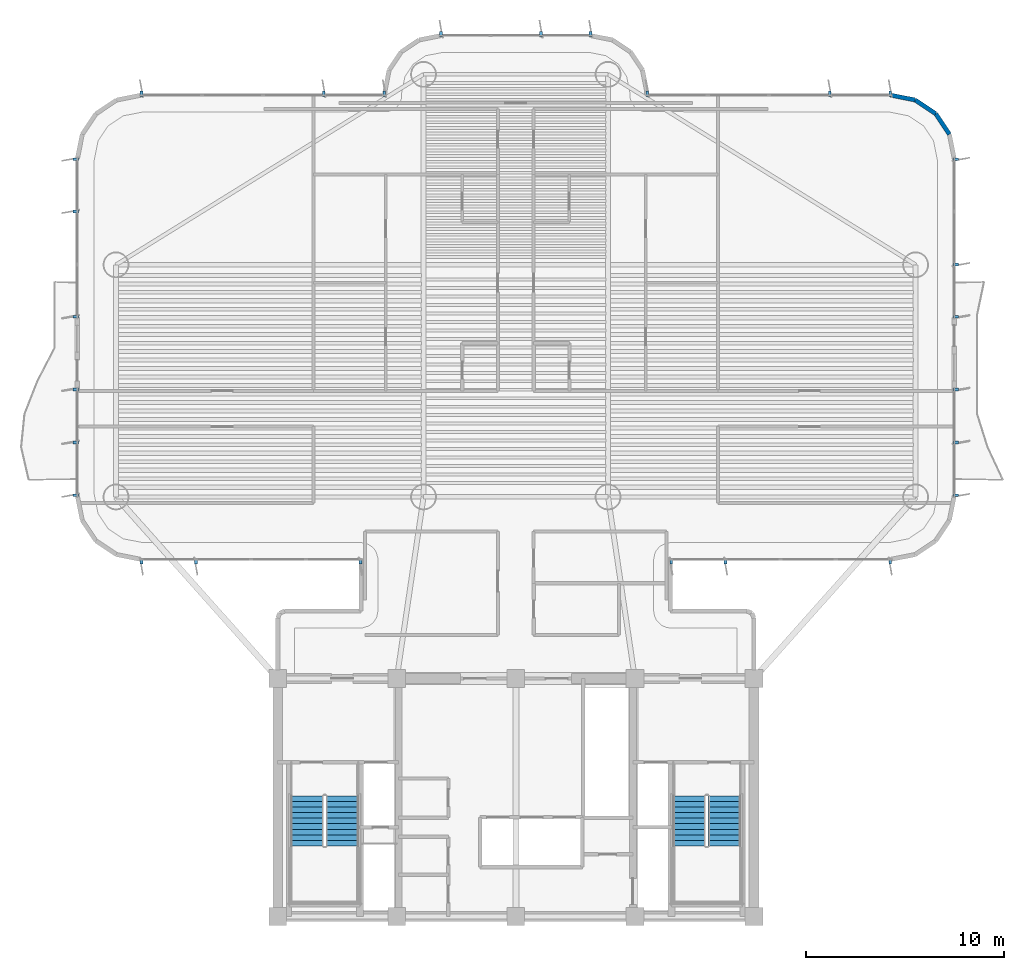
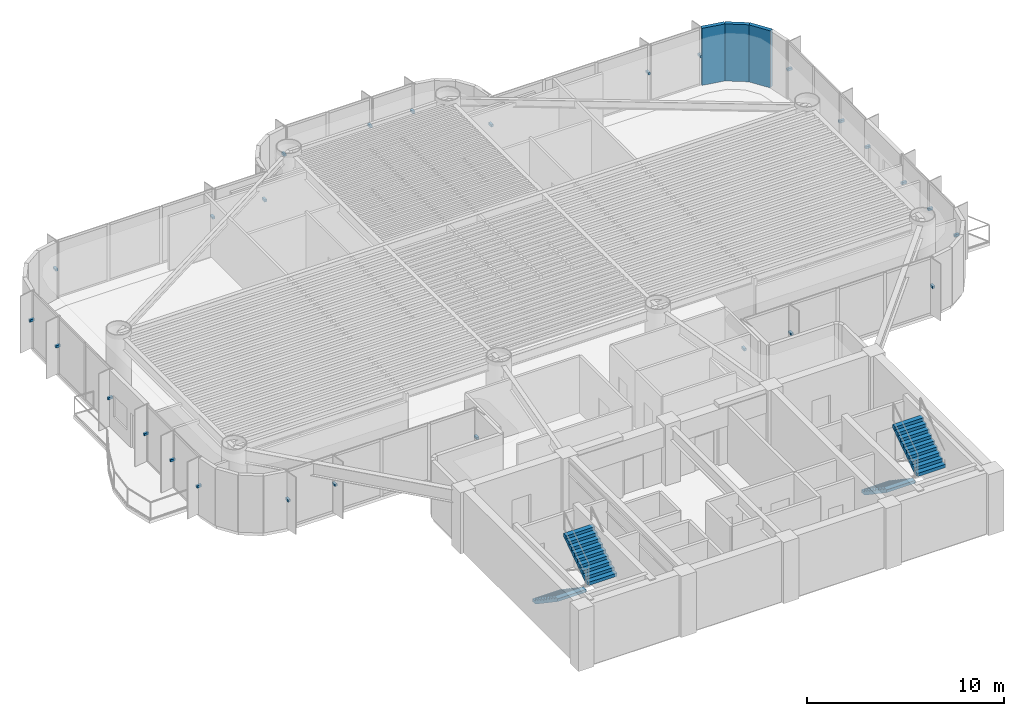
# One storey, part 12 of 16: 27 discrete accessories, 4 stair flights, 3 walls, 2 elements without a shape of their own.
"""IFC4 building model written with IfcOpenShell, lengths in metres."""

from ifc_helpers import new_model, si_unit, direction, frame, frame_2d, origin, origin_2d, place, context, subcontext, project, spatial, polyline, rectangle, outline, extrude, source, transform, mapped, material, layer, layer_set, type_object, element, aggregate, save


model = new_model("IFC4")

# Units and contexts
model_context = context("Model", 3, precision=1e-05, world=origin(), true_north=direction((0.0, 1.0)))
body_context = subcontext(model_context, "Body", "Model", "MODEL_VIEW")
ifc_project = project(units=[si_unit("LENGTHUNIT", "METRE"), si_unit("AREAUNIT", "SQUARE_METRE"), si_unit("VOLUMEUNIT", "CUBIC_METRE"), si_unit("PLANEANGLEUNIT", "RADIAN"), si_unit("MASSUNIT", "GRAM", prefix="KILO")], contexts=[model_context])

# Site, building, storey
site_placement = place(None, origin())
site = spatial("IfcSite", under=ifc_project, at=site_placement, CompositionType="ELEMENT")
building_placement = place(site_placement, origin())
building = spatial("IfcBuilding", under=site, at=building_placement, Name="Brelvock Crest Care Tower", CompositionType="ELEMENT")
storey_placement = place(building_placement, frame((0.0, 0.0, 138.9599609375)))
storey = spatial("IfcBuildingStorey", under=building, at=storey_placement, Name="L35", CompositionType="ELEMENT", Elevation=138.9599609375)

# Walls
ifc_material_1 = material(Name="Precast concrete N40 (40 MPa)", Category="concrete")
ifc_layer = layer(ifc_material_1, 0.215087890625, Name="WL-EX2")
ifc_layer_set = layer_set([ifc_layer], Name="Precast concrete N40 (40 MPa)")
wall_type = type_object("IfcWallType", Name="WL-EX2", PredefinedType="SOLIDWALL", material=ifc_layer_set)
for number, where, z_axis, x_axis, name in (
    (1, (54.89990234375, 47.39990234375, 0.0), (0.0, 0.0, 1.0), (0.980813122964, -0.194950295773, 0.0), "L35 Rounded Corner Wall 35"),
    (2, (56.12451171875, 47.156494140625, 0.0), (0.0, 0.0, 1.0), (0.831387912822, -0.555692485475, 0.0), "L35 Rounded Corner Wall 36"),
    (3, (57.16259765625, 46.462646484375, 0.0), (0.0, 0.0, 1.0), (0.555692485475, -0.831387912822, 0.0), "L35 Rounded Corner Wall 37"),
):
    element("IfcWall", number, at=place(storey_placement, frame(where, z_axis=z_axis, x_axis=x_axis)), inside=storey, type_object=wall_type, Name=name, PredefinedType="SOLIDWALL", context=body_context, shape_type="SweptSolid", body=[
        extrude(rectangle(XDim=1.24853515625, YDim=0.215087890625, at=frame_2d((0.624267578125, 0.0))), origin(), (0.0, 0.0, 1.0), 3.530029296875),
    ])

# Stair, stair flights
ifc_material_2 = material(Name="Concrete N40 (40 MPa)", Category="concrete")
stair_type = type_object("IfcStairType", Name="ST-CORE1", PredefinedType="HALF_TURN_STAIR", material=ifc_material_2)
stair_1_placement = place(storey_placement, origin())
stair_1 = element("IfcStair", 4, at=stair_1_placement, inside=storey, type_object=stair_type, Name="L35 Fire-Isolated Core Stair ST-1", PredefinedType="HALF_TURN_STAIR")
stair_flight_type = type_object("IfcStairFlightType", Name="STF-1", PredefinedType="STRAIGHT", material=ifc_material_2)
stair_flight_1_placement = place(storey_placement, frame((25.469970703125, 12.080078125, 0.0), z_axis=(0.0, 0.0, 1.0), x_axis=(0.0, -1.0, 0.0)))
stair_flight_1 = element("IfcStairFlight", 5, at=stair_flight_1_placement, type_object=stair_flight_type, Name="ST-1 flight 1", NumberOfRisers=10, NumberOfTreads=9, PredefinedType="STRAIGHT", RiserHeight=0.189, TreadLength=0.28, context=body_context, shape_type="SweptSolid", body=[
    extrude(outline(polyline([(-0.00390625, -0.014892578125), (-0.00390625, -0.0078125), (-0.00390625, -0.00048828125), (-0.00390625, 0.0068359375), (-0.00390625, 0.01416015625), (-0.00390625, 0.021484375), (-0.00390625, 0.02880859375), (-0.00390625, 0.035888671875), (-0.00390625, 0.043212890625), (-0.00390625, 0.050537109375), (-0.00390625, 0.057861328125), (-0.00390625, 0.065185546875), (-0.00390625, 0.072509765625), (-0.00390625, 0.07958984375), (-0.00390625, 0.0869140625), (-0.00390625, 0.09423828125), (-0.00390625, 0.1015625), (-0.00390625, 0.10888671875), (-0.00390625, 0.1162109375), (-0.00390625, 0.12353515625), (-0.00390625, 0.130615234375), (-0.00390625, 0.137939453125), (-0.00390625, 0.145263671875), (-0.00390625, 0.152587890625), (-0.00390625, 0.159912109375), (-0.00390625, 0.167236328125), (-0.00390625, 0.17431640625), (-0.00390625, 0.181640625), (-0.00390625, 0.18896484375), (0.0, 0.18896484375), (0.280029296875, 0.18896484375), (0.280029296875, 0.3779296875), (0.56005859375, 0.3779296875), (0.56005859375, 0.56689453125), (0.840087890625, 0.56689453125), (0.840087890625, 0.756103515625), (1.1201171875, 0.756103515625), (1.1201171875, 0.945068359375), (1.39990234375, 0.945068359375), (1.39990234375, 1.134033203125), (1.679931640625, 1.134033203125), (1.679931640625, 1.322998046875), (1.9599609375, 1.322998046875), (1.9599609375, 1.511962890625), (2.239990234375, 1.511962890625), (2.239990234375, 1.700927734375), (2.52001953125, 1.700927734375), (2.52392578125, 1.700927734375), (2.523681640625, 1.70068359375), (2.52392578125, 1.700439453125), (2.523681640625, 1.699951171875), (2.52392578125, 1.69970703125), (2.523681640625, 1.699462890625), (2.52392578125, 1.698974609375), (2.523681640625, 1.69873046875), (2.52392578125, 1.698486328125), (2.523681640625, 1.697998046875), (2.52392578125, 1.69775390625), (2.523681640625, 1.697509765625), (2.52392578125, 1.697021484375), (2.523681640625, 1.69677734375), (2.52392578125, 1.696533203125), (2.523681640625, 1.6962890625), (2.52392578125, 1.69580078125), (2.523681640625, 1.695556640625), (2.52392578125, 1.6953125), (2.523681640625, 1.69482421875), (2.52392578125, 1.694580078125), (2.523681640625, 1.6943359375), (2.52392578125, 1.69384765625), (2.523681640625, 1.693603515625), (2.52392578125, 1.693359375), (2.523681640625, 1.69287109375), (2.52392578125, 1.692626953125), (2.523681640625, 1.6923828125), (2.52392578125, 1.69189453125), (2.52001953125, 1.520263671875), (0.267822265625, 0.0), (0.0, 0.0), (0.0, -0.014892578125), (-0.00390625, -0.014892578125)])), frame((0.0, 0.83984375, 0.0), z_axis=(0.0, -1.0, 0.0), x_axis=(1.0, 0.0, 0.0)), (0.0, 0.0, 1.0), 1.679931640625),
])
stair_flight_2_placement = place(storey_placement, frame((27.27001953125, 9.56005859375, 1.89013671875), z_axis=(0.0, 0.0, 1.0), x_axis=(0.0, 1.0, 0.0)))
stair_flight_2 = element("IfcStairFlight", 6, at=stair_flight_2_placement, type_object=stair_flight_type, Name="ST-1 flight 2", NumberOfRisers=10, NumberOfTreads=9, PredefinedType="STRAIGHT", RiserHeight=0.189, TreadLength=0.28, context=body_context, shape_type="SweptSolid", body=[
    extrude(outline(polyline([(-0.00390625, -0.014892578125), (-0.00390625, -0.0078125), (-0.00390625, -0.00048828125), (-0.00390625, 0.0068359375), (-0.00390625, 0.01416015625), (-0.00390625, 0.021484375), (-0.00390625, 0.02880859375), (-0.00390625, 0.035888671875), (-0.00390625, 0.043212890625), (-0.00390625, 0.050537109375), (-0.00390625, 0.057861328125), (-0.00390625, 0.065185546875), (-0.00390625, 0.072509765625), (-0.00390625, 0.07958984375), (-0.00390625, 0.0869140625), (-0.00390625, 0.09423828125), (-0.00390625, 0.1015625), (-0.00390625, 0.10888671875), (-0.00390625, 0.1162109375), (-0.00390625, 0.12353515625), (-0.00390625, 0.130615234375), (-0.00390625, 0.137939453125), (-0.00390625, 0.145263671875), (-0.00390625, 0.152587890625), (-0.00390625, 0.159912109375), (-0.00390625, 0.167236328125), (-0.00390625, 0.17431640625), (-0.00390625, 0.181640625), (-0.00390625, 0.18896484375), (0.0, 0.18896484375), (0.280029296875, 0.18896484375), (0.280029296875, 0.3779296875), (0.56005859375, 0.3779296875), (0.56005859375, 0.56689453125), (0.840087890625, 0.56689453125), (0.840087890625, 0.756103515625), (1.1201171875, 0.756103515625), (1.1201171875, 0.945068359375), (1.39990234375, 0.945068359375), (1.39990234375, 1.134033203125), (1.679931640625, 1.134033203125), (1.679931640625, 1.322998046875), (1.9599609375, 1.322998046875), (1.9599609375, 1.511962890625), (2.239990234375, 1.511962890625), (2.239990234375, 1.700927734375), (2.52001953125, 1.700927734375), (2.52392578125, 1.700927734375), (2.523681640625, 1.70068359375), (2.52392578125, 1.700439453125), (2.523681640625, 1.699951171875), (2.52392578125, 1.69970703125), (2.523681640625, 1.699462890625), (2.52392578125, 1.698974609375), (2.523681640625, 1.69873046875), (2.52392578125, 1.698486328125), (2.523681640625, 1.697998046875), (2.52392578125, 1.69775390625), (2.523681640625, 1.697509765625), (2.52392578125, 1.697021484375), (2.523681640625, 1.69677734375), (2.52392578125, 1.696533203125), (2.523681640625, 1.6962890625), (2.52392578125, 1.69580078125), (2.523681640625, 1.695556640625), (2.52392578125, 1.6953125), (2.523681640625, 1.69482421875), (2.52392578125, 1.694580078125), (2.523681640625, 1.6943359375), (2.52392578125, 1.69384765625), (2.523681640625, 1.693603515625), (2.52392578125, 1.693359375), (2.523681640625, 1.69287109375), (2.52392578125, 1.692626953125), (2.523681640625, 1.6923828125), (2.52392578125, 1.69189453125), (2.52001953125, 1.520263671875), (0.267822265625, 0.0), (0.0, 0.0), (0.0, -0.014892578125), (-0.00390625, -0.014892578125)])), frame((0.0, 0.83984375, 0.0), z_axis=(0.0, -1.0, 0.0), x_axis=(1.0, 0.0, 0.0)), (0.0, 0.0, 1.0), 1.679931640625),
])
aggregate(stair_1, [stair_flight_1, stair_flight_2])

stair_2_placement = place(storey_placement, origin())
stair_2 = element("IfcStair", 7, at=stair_2_placement, inside=storey, type_object=stair_type, Name="L35 Fire-Isolated Core Stair ST-2", PredefinedType="HALF_TURN_STAIR")
stair_flight_3_placement = place(storey_placement, frame((44.72998046875, 12.080078125, 0.0), z_axis=(0.0, 0.0, 1.0), x_axis=(0.0, -1.0, 0.0)))
stair_flight_3 = element("IfcStairFlight", 8, at=stair_flight_3_placement, type_object=stair_flight_type, Name="ST-2 flight 1", NumberOfRisers=10, NumberOfTreads=9, PredefinedType="STRAIGHT", RiserHeight=0.189, TreadLength=0.28, context=body_context, shape_type="SweptSolid", body=[
    extrude(outline(polyline([(-0.00390625, -0.014892578125), (-0.00390625, -0.0078125), (-0.00390625, -0.00048828125), (-0.00390625, 0.0068359375), (-0.00390625, 0.01416015625), (-0.00390625, 0.021484375), (-0.00390625, 0.02880859375), (-0.00390625, 0.035888671875), (-0.00390625, 0.043212890625), (-0.00390625, 0.050537109375), (-0.00390625, 0.057861328125), (-0.00390625, 0.065185546875), (-0.00390625, 0.072509765625), (-0.00390625, 0.07958984375), (-0.00390625, 0.0869140625), (-0.00390625, 0.09423828125), (-0.00390625, 0.1015625), (-0.00390625, 0.10888671875), (-0.00390625, 0.1162109375), (-0.00390625, 0.12353515625), (-0.00390625, 0.130615234375), (-0.00390625, 0.137939453125), (-0.00390625, 0.145263671875), (-0.00390625, 0.152587890625), (-0.00390625, 0.159912109375), (-0.00390625, 0.167236328125), (-0.00390625, 0.17431640625), (-0.00390625, 0.181640625), (-0.00390625, 0.18896484375), (0.0, 0.18896484375), (0.280029296875, 0.18896484375), (0.280029296875, 0.3779296875), (0.56005859375, 0.3779296875), (0.56005859375, 0.56689453125), (0.840087890625, 0.56689453125), (0.840087890625, 0.756103515625), (1.1201171875, 0.756103515625), (1.1201171875, 0.945068359375), (1.39990234375, 0.945068359375), (1.39990234375, 1.134033203125), (1.679931640625, 1.134033203125), (1.679931640625, 1.322998046875), (1.9599609375, 1.322998046875), (1.9599609375, 1.511962890625), (2.239990234375, 1.511962890625), (2.239990234375, 1.700927734375), (2.52001953125, 1.700927734375), (2.52392578125, 1.700927734375), (2.523681640625, 1.70068359375), (2.52392578125, 1.700439453125), (2.523681640625, 1.699951171875), (2.52392578125, 1.69970703125), (2.523681640625, 1.699462890625), (2.52392578125, 1.698974609375), (2.523681640625, 1.69873046875), (2.52392578125, 1.698486328125), (2.523681640625, 1.697998046875), (2.52392578125, 1.69775390625), (2.523681640625, 1.697509765625), (2.52392578125, 1.697021484375), (2.523681640625, 1.69677734375), (2.52392578125, 1.696533203125), (2.523681640625, 1.6962890625), (2.52392578125, 1.69580078125), (2.523681640625, 1.695556640625), (2.52392578125, 1.6953125), (2.523681640625, 1.69482421875), (2.52392578125, 1.694580078125), (2.523681640625, 1.6943359375), (2.52392578125, 1.69384765625), (2.523681640625, 1.693603515625), (2.52392578125, 1.693359375), (2.523681640625, 1.69287109375), (2.52392578125, 1.692626953125), (2.523681640625, 1.6923828125), (2.52392578125, 1.69189453125), (2.52001953125, 1.520263671875), (0.267822265625, 0.0), (0.0, 0.0), (0.0, -0.014892578125), (-0.00390625, -0.014892578125)])), frame((0.0, 0.83984375, 0.0), z_axis=(0.0, -1.0, 0.0), x_axis=(1.0, 0.0, 0.0)), (0.0, 0.0, 1.0), 1.679931640625),
])
stair_flight_4_placement = place(storey_placement, frame((46.530029296875, 9.56005859375, 1.89013671875), z_axis=(0.0, 0.0, 1.0), x_axis=(0.0, 1.0, 0.0)))
stair_flight_4 = element("IfcStairFlight", 9, at=stair_flight_4_placement, type_object=stair_flight_type, Name="ST-2 flight 2", NumberOfRisers=10, NumberOfTreads=9, PredefinedType="STRAIGHT", RiserHeight=0.189, TreadLength=0.28, context=body_context, shape_type="SweptSolid", body=[
    extrude(outline(polyline([(-0.00390625, -0.014892578125), (-0.00390625, -0.0078125), (-0.00390625, -0.00048828125), (-0.00390625, 0.0068359375), (-0.00390625, 0.01416015625), (-0.00390625, 0.021484375), (-0.00390625, 0.02880859375), (-0.00390625, 0.035888671875), (-0.00390625, 0.043212890625), (-0.00390625, 0.050537109375), (-0.00390625, 0.057861328125), (-0.00390625, 0.065185546875), (-0.00390625, 0.072509765625), (-0.00390625, 0.07958984375), (-0.00390625, 0.0869140625), (-0.00390625, 0.09423828125), (-0.00390625, 0.1015625), (-0.00390625, 0.10888671875), (-0.00390625, 0.1162109375), (-0.00390625, 0.12353515625), (-0.00390625, 0.130615234375), (-0.00390625, 0.137939453125), (-0.00390625, 0.145263671875), (-0.00390625, 0.152587890625), (-0.00390625, 0.159912109375), (-0.00390625, 0.167236328125), (-0.00390625, 0.17431640625), (-0.00390625, 0.181640625), (-0.00390625, 0.18896484375), (0.0, 0.18896484375), (0.280029296875, 0.18896484375), (0.280029296875, 0.3779296875), (0.56005859375, 0.3779296875), (0.56005859375, 0.56689453125), (0.840087890625, 0.56689453125), (0.840087890625, 0.756103515625), (1.1201171875, 0.756103515625), (1.1201171875, 0.945068359375), (1.39990234375, 0.945068359375), (1.39990234375, 1.134033203125), (1.679931640625, 1.134033203125), (1.679931640625, 1.322998046875), (1.9599609375, 1.322998046875), (1.9599609375, 1.511962890625), (2.239990234375, 1.511962890625), (2.239990234375, 1.700927734375), (2.52001953125, 1.700927734375), (2.52392578125, 1.700927734375), (2.523681640625, 1.70068359375), (2.52392578125, 1.700439453125), (2.523681640625, 1.699951171875), (2.52392578125, 1.69970703125), (2.523681640625, 1.699462890625), (2.52392578125, 1.698974609375), (2.523681640625, 1.69873046875), (2.52392578125, 1.698486328125), (2.523681640625, 1.697998046875), (2.52392578125, 1.69775390625), (2.523681640625, 1.697509765625), (2.52392578125, 1.697021484375), (2.523681640625, 1.69677734375), (2.52392578125, 1.696533203125), (2.523681640625, 1.6962890625), (2.52392578125, 1.69580078125), (2.523681640625, 1.695556640625), (2.52392578125, 1.6953125), (2.523681640625, 1.69482421875), (2.52392578125, 1.694580078125), (2.523681640625, 1.6943359375), (2.52392578125, 1.69384765625), (2.523681640625, 1.693603515625), (2.52392578125, 1.693359375), (2.523681640625, 1.69287109375), (2.52392578125, 1.692626953125), (2.523681640625, 1.6923828125), (2.52392578125, 1.69189453125), (2.52001953125, 1.520263671875), (0.267822265625, 0.0), (0.0, 0.0), (0.0, -0.014892578125), (-0.00390625, -0.014892578125)])), frame((0.0, 0.83984375, 0.0), z_axis=(0.0, -1.0, 0.0), x_axis=(1.0, 0.0, 0.0)), (0.0, 0.0, 1.0), 1.679931640625),
])
aggregate(stair_2, [stair_flight_3, stair_flight_4])

# Discrete accessories
ifc_material_3 = material(Name="Steel Grade 350", Category="steel")
discrete_accessory_type = type_object("IfcDiscreteAccessoryType", Name="ACC-BRK1", PredefinedType="BRACKET", material=ifc_material_3)
shared_shape = source(origin(), body_context, "Body", "SweptSolid", [
    extrude(rectangle(XDim=0.280029296875, YDim=0.139892578125, at=origin_2d()), origin(), (0.0, 0.0, 1.0), 0.139892578125),
])
for number, where, z_axis, x_axis, name in (
    (10, (28.169921875, 23.919921875, 1.6953125), (0.0, 0.0, 1.0), (0.0, -1.0, 0.0), "L35 Facade Fin Bracket E12-01"),
    (11, (19.875, 23.919921875, 1.6953125), (0.0, 0.0, 1.0), (0.0, -1.0, 0.0), "L35 Facade Fin Bracket E12-04"),
    (12, (17.1298828125, 23.919921875, 1.6953125), (0.0, 0.0, 1.0), (0.0, -1.0, 0.0), "L35 Facade Fin Bracket E12-05"),
    (13, (13.820068359375, 27.22998046875, 1.6953125), (0.0, 0.0, 1.0), (-1.0, 0.0, 0.0), "L35 Facade Fin Bracket E17A-01"),
    (14, (13.820068359375, 29.89990234375, 1.6953125), (0.0, 0.0, 1.0), (-1.0, 0.0, 0.0), "L35 Facade Fin Bracket E17A-02"),
    (15, (13.820068359375, 32.570068359375, 1.6953125), (0.0, 0.0, 1.0), (-1.0, 0.0, 0.0), "L35 Facade Fin Bracket E17A-03"),
    (16, (13.820068359375, 36.22998046875, 1.6953125), (0.0, 0.0, 1.0), (-1.0, 0.0, 0.0), "L35 Facade Fin Bracket E17B-01"),
    (17, (13.820068359375, 41.533203125, 1.6953125), (0.0, 0.0, 1.0), (-1.0, 0.0, 0.0), "L35 Facade Fin Bracket E17B-03"),
    (18, (13.820068359375, 44.169921875, 1.6953125), (0.0, 0.0, 1.0), (-1.0, 0.0, 0.0), "L35 Facade Fin Bracket E17B-04"),
    (19, (17.1298828125, 47.47998046875, 1.6953125), (0.0, 0.0, 1.0), (0.0, 1.0, 0.0), "L35 Facade Fin Bracket E22-01"),
    (20, (26.324951171875, 47.47998046875, 1.6953125), (0.0, 0.0, 1.0), (0.0, 1.0, 0.0), "L35 Facade Fin Bracket E22-04"),
    (21, (29.3701171875, 47.47998046875, 1.6953125), (0.0, 0.0, 1.0), (0.0, 1.0, 0.0), "L35 Facade Fin Bracket E22-05"),
    (22, (32.22998046875, 50.47998046875, 1.6953125), (0.0, 0.0, 1.0), (0.0, 1.0, 0.0), "L35 Facade Fin Bracket E28-01"),
    (23, (37.2666015625, 50.47998046875, 1.6953125), (0.0, 0.0, 1.0), (0.0, 1.0, 0.0), "L35 Facade Fin Bracket E28-03"),
    (24, (39.77001953125, 50.47998046875, 1.6953125), (0.0, 0.0, 1.0), (0.0, 1.0, 0.0), "L35 Facade Fin Bracket E28-04"),
    (25, (42.6298828125, 47.47998046875, 1.6953125), (0.0, 0.0, 1.0), (0.0, 1.0, 0.0), "L35 Facade Fin Bracket E34-01"),
    (26, (51.824951171875, 47.47998046875, 1.6953125), (0.0, 0.0, 1.0), (0.0, 1.0, 0.0), "L35 Facade Fin Bracket E34-04"),
    (27, (54.8701171875, 47.47998046875, 1.6953125), (0.0, 0.0, 1.0), (0.0, 1.0, 0.0), "L35 Facade Fin Bracket E34-05"),
    (28, (58.179931640625, 44.169921875, 1.6953125), (0.0, 0.0, 1.0), (1.0, 0.0, 0.0), "L35 Facade Fin Bracket E39A-01"),
    (29, (58.179931640625, 38.86669921875, 1.6953125), (0.0, 0.0, 1.0), (1.0, 0.0, 0.0), "L35 Facade Fin Bracket E39A-03"),
    (30, (58.179931640625, 36.22998046875, 1.6953125), (0.0, 0.0, 1.0), (1.0, 0.0, 0.0), "L35 Facade Fin Bracket E39A-04"),
    (31, (58.179931640625, 32.570068359375, 1.6953125), (0.0, 0.0, 1.0), (1.0, 0.0, 0.0), "L35 Facade Fin Bracket E39B-01"),
    (32, (58.179931640625, 29.89990234375, 1.6953125), (0.0, 0.0, 1.0), (1.0, 0.0, 0.0), "L35 Facade Fin Bracket E39B-02"),
    (33, (58.179931640625, 27.22998046875, 1.6953125), (0.0, 0.0, 1.0), (1.0, 0.0, 0.0), "L35 Facade Fin Bracket E39B-03"),
    (34, (54.8701171875, 23.919921875, 1.6953125), (0.0, 0.0, 1.0), (0.0, -1.0, 0.0), "L35 Facade Fin Bracket E44-01"),
    (35, (46.574951171875, 23.919921875, 1.6953125), (0.0, 0.0, 1.0), (0.0, -1.0, 0.0), "L35 Facade Fin Bracket E44-04"),
    (36, (43.830078125, 23.919921875, 1.6953125), (0.0, 0.0, 1.0), (0.0, -1.0, 0.0), "L35 Facade Fin Bracket E44-05"),
):
    element("IfcDiscreteAccessory", number, at=place(storey_placement, frame(where, z_axis=z_axis, x_axis=x_axis)), inside=storey, type_object=discrete_accessory_type, Name=name, PredefinedType="BRACKET", context=body_context, shape_type="MappedRepresentation", body=[
        mapped(shared_shape, transform((0.0, 0.0, 0.0), x_axis=(1.0, 0.0, 0.0), y_axis=(0.0, 1.0, 0.0), z_axis=(0.0, 0.0, 1.0), scale=1.0)),
    ])

save(model, "model.ifc")
